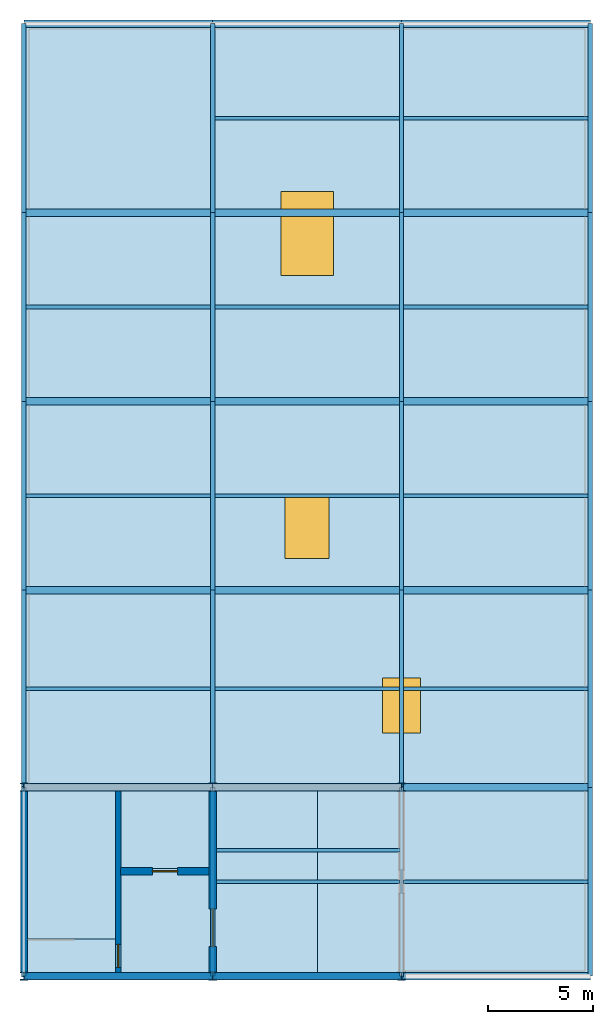
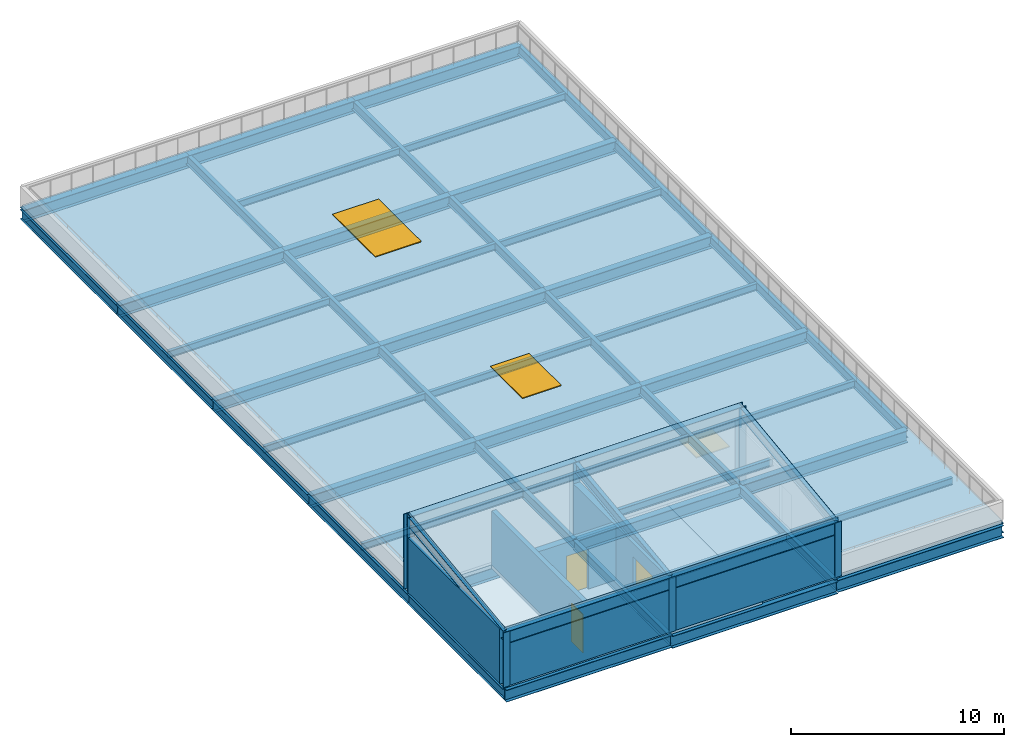
# One storey, part 1 of 3: 59 beams, 6 columns, 6 walls, 5 slabs, 3 doors, 3 windows, 6 openings.
"""IFC4 building model written with IfcOpenShell, lengths in metres."""

from ifc_helpers import new_model, si_unit, direction, frame, frame_2d, origin, origin_2d, place, context, subcontext, project, spatial, polyline, rectangle, i_section, outline, extrude, material, layer, layer_set, material_profile, profile_set, type_object, element, fill, save


model = new_model("IFC4")

# Units and contexts
model_context = context("Model", 3, precision=1e-05, world=origin(), true_north=direction((0.0, 1.0)))
body_context = subcontext(model_context, "Body", "Model", "MODEL_VIEW")
ifc_project = project(units=[si_unit("LENGTHUNIT", "METRE"), si_unit("AREAUNIT", "SQUARE_METRE"), si_unit("VOLUMEUNIT", "CUBIC_METRE"), si_unit("PLANEANGLEUNIT", "RADIAN"), si_unit("MASSUNIT", "GRAM", prefix="KILO")], contexts=[model_context])

# Site, building, storey
site_placement = place(None, origin())
site = spatial("IfcSite", under=ifc_project, at=site_placement, CompositionType="ELEMENT")
building_placement = place(site_placement, origin())
building = spatial("IfcBuilding", under=site, at=building_placement, Name="Cazmaro Siding Exhibition Halls", CompositionType="ELEMENT")
storey_placement = place(building_placement, frame((0.0, 0.0, 25.5)))
storey = spatial("IfcBuildingStorey", under=building, at=storey_placement, Name="RF", CompositionType="ELEMENT", Elevation=25.5)

# Columns
ifc_material_1 = material(Name="Steel ASTM A992 Grade 50", Category="steel")
ifc_material_profile_1 = material_profile(ifc_material_1, i_section(OverallWidth=0.373046875, OverallDepth=0.373046875, WebThickness=0.01611328125, FlangeThickness=0.02587890625, at=origin_2d()), Name="W14X132")
ifc_profile_set_1 = profile_set([ifc_material_profile_1], Name="Steel ASTM A992 Grade 50")
column_type = type_object("IfcColumnType", Name="C-04", PredefinedType="COLUMN", material=ifc_profile_set_1)
column_1_placement = place(storey_placement, frame((0.0, 54.60009765625, 0.0), z_axis=(0.0, 0.0, 1.0), x_axis=(1.0, 0.0, 0.0)))
element("IfcColumn", 1, at=column_1_placement, inside=storey, type_object=column_type, Name="Column C-04 COL-1075", PredefinedType="COLUMN", context=body_context, shape_type="SweptSolid", body=[
    extrude(i_section(OverallWidth=0.373046875, OverallDepth=0.373046875, WebThickness=0.01611328125, FlangeThickness=0.02587890625, at=origin_2d()), origin(), (0.0, 0.0, 1.0), 3.139892578125),
])
column_2_placement = place(storey_placement, frame((0.0, 63.60009765625, 0.0), z_axis=(0.0, 0.0, 1.0), x_axis=(1.0, 0.0, 0.0)))
element("IfcColumn", 2, at=column_2_placement, inside=storey, type_object=column_type, Name="Column C-04 COL-1076", PredefinedType="COLUMN", context=body_context, shape_type="SweptSolid", body=[
    extrude(i_section(OverallWidth=0.373046875, OverallDepth=0.373046875, WebThickness=0.01611328125, FlangeThickness=0.02587890625, at=origin_2d()), origin(), (0.0, 0.0, 1.0), 4.2900390625),
])
column_3_placement = place(storey_placement, frame((9.0, 54.60009765625, 0.0), z_axis=(0.0, 0.0, 1.0), x_axis=(1.0, 0.0, 0.0)))
element("IfcColumn", 3, at=column_3_placement, inside=storey, type_object=column_type, Name="Column C-04 COL-1077", PredefinedType="COLUMN", context=body_context, shape_type="SweptSolid", body=[
    extrude(i_section(OverallWidth=0.373046875, OverallDepth=0.373046875, WebThickness=0.01611328125, FlangeThickness=0.02587890625, at=origin_2d()), origin(), (0.0, 0.0, 1.0), 3.139892578125),
])
column_4_placement = place(storey_placement, frame((9.0, 63.60009765625, 0.0), z_axis=(0.0, 0.0, 1.0), x_axis=(1.0, 0.0, 0.0)))
element("IfcColumn", 4, at=column_4_placement, inside=storey, type_object=column_type, Name="Column C-04 COL-1078", PredefinedType="COLUMN", context=body_context, shape_type="SweptSolid", body=[
    extrude(i_section(OverallWidth=0.373046875, OverallDepth=0.373046875, WebThickness=0.01611328125, FlangeThickness=0.02587890625, at=origin_2d()), origin(), (0.0, 0.0, 1.0), 4.2900390625),
])
column_5_placement = place(storey_placement, frame((18.0, 54.60009765625, 0.0), z_axis=(0.0, 0.0, 1.0), x_axis=(1.0, 0.0, 0.0)))
element("IfcColumn", 5, at=column_5_placement, inside=storey, type_object=column_type, Name="Column C-04 COL-1079", PredefinedType="COLUMN", context=body_context, shape_type="SweptSolid", body=[
    extrude(i_section(OverallWidth=0.373046875, OverallDepth=0.373046875, WebThickness=0.01611328125, FlangeThickness=0.02587890625, at=origin_2d()), origin(), (0.0, 0.0, 1.0), 3.139892578125),
])
column_6_placement = place(storey_placement, frame((18.0, 63.60009765625, 0.0), z_axis=(0.0, 0.0, 1.0), x_axis=(1.0, 0.0, 0.0)))
element("IfcColumn", 6, at=column_6_placement, inside=storey, type_object=column_type, Name="Column C-04 COL-1080", PredefinedType="COLUMN", context=body_context, shape_type="SweptSolid", body=[
    extrude(i_section(OverallWidth=0.373046875, OverallDepth=0.373046875, WebThickness=0.01611328125, FlangeThickness=0.02587890625, at=origin_2d()), origin(), (0.0, 0.0, 1.0), 4.2900390625),
])

# Beams
ifc_material_2 = material(Name="Steel ASTM A992 Grade 50", Category="steel")
ifc_material_profile_2 = material_profile(ifc_material_2, i_section(OverallWidth=0.214111328125, OverallDepth=0.549072265625, WebThickness=0.014892578125, FlangeThickness=0.02392578125, at=origin_2d()), Name="W21X93")
ifc_profile_set_2 = profile_set([ifc_material_profile_2], Name="Steel ASTM A992 Grade 50")
beam_type_1 = type_object("IfcBeamType", Name="B-01", PredefinedType="BEAM", material=ifc_profile_set_2)
for number, where, z_axis, x_axis, name in (
    (7, (0.0, 54.60009765625, 2.865966796875), (0.0, 0.991949923434, 0.126630760082), (-1.0, 0.0, 0.0), "Beam B-01 BM-1923"),
    (8, (9.0, 54.60009765625, 2.865966796875), (0.0, 0.991949923434, 0.126630760082), (-1.0, 0.0, 0.0), "Beam B-01 BM-1924"),
    (9, (18.0, 54.60009765625, 2.865966796875), (0.0, 0.991949923434, 0.126630760082), (-1.0, 0.0, 0.0), "Beam B-01 BM-1925"),
):
    element("IfcBeam", number, at=place(storey_placement, frame(where, z_axis=z_axis, x_axis=x_axis)), inside=storey, type_object=beam_type_1, Name=name, PredefinedType="BEAM", context=body_context, shape_type="SweptSolid", body=[
        extrude(i_section(OverallWidth=0.214111328125, OverallDepth=0.549072265625, WebThickness=0.014892578125, FlangeThickness=0.02392578125, at=origin_2d()), origin(), (0.0, 0.0, 1.0), 9.072998046875),
    ])
beam_1_placement = place(storey_placement, frame((0.0, 54.60009765625, -0.485107421875), z_axis=(0.0, 1.0, 0.0), x_axis=(-1.0, 0.0, 0.0)))
element("IfcBeam", 10, at=beam_1_placement, inside=storey, type_object=beam_type_1, Name="Beam B-01 BM-2389", PredefinedType="BEAM", context=body_context, shape_type="SweptSolid", body=[
    extrude(i_section(OverallWidth=0.214111328125, OverallDepth=0.549072265625, WebThickness=0.014892578125, FlangeThickness=0.02392578125, at=origin_2d()), origin(), (0.0, 0.0, 1.0), 9.0),
])
beam_2_placement = place(storey_placement, frame((0.0, 63.60009765625, -0.485107421875), z_axis=(0.0, 1.0, 0.0), x_axis=(-1.0, 0.0, 0.0)))
element("IfcBeam", 11, at=beam_2_placement, inside=storey, type_object=beam_type_1, Name="Beam B-01 BM-2390", PredefinedType="BEAM", context=body_context, shape_type="SweptSolid", body=[
    extrude(i_section(OverallWidth=0.214111328125, OverallDepth=0.549072265625, WebThickness=0.014892578125, FlangeThickness=0.02392578125, at=origin_2d()), origin(), (0.0, 0.0, 1.0), 9.39990234375),
])
for number, where, z_axis, x_axis, name in (
    (12, (0.0, 73.0, -0.485107421875), (0.0, 1.0, 0.0), (-1.0, 0.0, 0.0), "Beam B-01 BM-2391"),
    (13, (0.0, 82.0, -0.485107421875), (0.0, 1.0, 0.0), (-1.0, 0.0, 0.0), "Beam B-01 BM-2392"),
    (14, (0.0, 91.0, -0.485107421875), (0.0, 1.0, 0.0), (-1.0, 0.0, 0.0), "Beam B-01 BM-2393"),
    (15, (9.0, 54.60009765625, -0.5439453125), (0.0, 1.0, 0.0), (-1.0, 0.0, 0.0), "Beam B-01 BM-2394"),
):
    element("IfcBeam", number, at=place(storey_placement, frame(where, z_axis=z_axis, x_axis=x_axis)), inside=storey, type_object=beam_type_1, Name=name, PredefinedType="BEAM", context=body_context, shape_type="SweptSolid", body=[
        extrude(i_section(OverallWidth=0.214111328125, OverallDepth=0.549072265625, WebThickness=0.014892578125, FlangeThickness=0.02392578125, at=origin_2d()), origin(), (0.0, 0.0, 1.0), 9.0),
    ])
beam_3_placement = place(storey_placement, frame((9.0, 63.60009765625, -0.485107421875), z_axis=(0.0, 1.0, 0.0), x_axis=(-1.0, 0.0, 0.0)))
element("IfcBeam", 16, at=beam_3_placement, inside=storey, type_object=beam_type_1, Name="Beam B-01 BM-2395", PredefinedType="BEAM", context=body_context, shape_type="SweptSolid", body=[
    extrude(i_section(OverallWidth=0.214111328125, OverallDepth=0.549072265625, WebThickness=0.014892578125, FlangeThickness=0.02392578125, at=origin_2d()), origin(), (0.0, 0.0, 1.0), 9.39990234375),
])
for number, where, z_axis, x_axis, name in (
    (17, (9.0, 73.0, -0.485107421875), (0.0, 1.0, 0.0), (-1.0, 0.0, 0.0), "Beam B-01 BM-2396"),
    (18, (9.0, 82.0, -0.485107421875), (0.0, 1.0, 0.0), (-1.0, 0.0, 0.0), "Beam B-01 BM-2397"),
    (19, (9.0, 91.0, -0.485107421875), (0.0, 1.0, 0.0), (-1.0, 0.0, 0.0), "Beam B-01 BM-2398"),
    (20, (18.0, 54.60009765625, -0.5439453125), (0.0, 1.0, 0.0), (-1.0, 0.0, 0.0), "Beam B-01 BM-2399"),
):
    element("IfcBeam", number, at=place(storey_placement, frame(where, z_axis=z_axis, x_axis=x_axis)), inside=storey, type_object=beam_type_1, Name=name, PredefinedType="BEAM", context=body_context, shape_type="SweptSolid", body=[
        extrude(i_section(OverallWidth=0.214111328125, OverallDepth=0.549072265625, WebThickness=0.014892578125, FlangeThickness=0.02392578125, at=origin_2d()), origin(), (0.0, 0.0, 1.0), 9.0),
    ])
beam_4_placement = place(storey_placement, frame((18.0, 63.60009765625, -0.485107421875), z_axis=(0.0, 1.0, 0.0), x_axis=(-1.0, 0.0, 0.0)))
element("IfcBeam", 21, at=beam_4_placement, inside=storey, type_object=beam_type_1, Name="Beam B-01 BM-2400", PredefinedType="BEAM", context=body_context, shape_type="SweptSolid", body=[
    extrude(i_section(OverallWidth=0.214111328125, OverallDepth=0.549072265625, WebThickness=0.014892578125, FlangeThickness=0.02392578125, at=origin_2d()), origin(), (0.0, 0.0, 1.0), 9.39990234375),
])
for number, where, z_axis, x_axis, name in (
    (22, (18.0, 73.0, -0.485107421875), (0.0, 1.0, 0.0), (-1.0, 0.0, 0.0), "Beam B-01 BM-2401"),
    (23, (18.0, 82.0, -0.485107421875), (0.0, 1.0, 0.0), (-1.0, 0.0, 0.0), "Beam B-01 BM-2402"),
    (24, (18.0, 91.0, -0.485107421875), (0.0, 1.0, 0.0), (-1.0, 0.0, 0.0), "Beam B-01 BM-2403"),
    (25, (27.0, 54.60009765625, -0.485107421875), (0.0, 1.0, 0.0), (-1.0, 0.0, 0.0), "Beam B-01 BM-2404"),
):
    element("IfcBeam", number, at=place(storey_placement, frame(where, z_axis=z_axis, x_axis=x_axis)), inside=storey, type_object=beam_type_1, Name=name, PredefinedType="BEAM", context=body_context, shape_type="SweptSolid", body=[
        extrude(i_section(OverallWidth=0.214111328125, OverallDepth=0.549072265625, WebThickness=0.014892578125, FlangeThickness=0.02392578125, at=origin_2d()), origin(), (0.0, 0.0, 1.0), 9.0),
    ])
beam_5_placement = place(storey_placement, frame((27.0, 63.60009765625, -0.485107421875), z_axis=(0.0, 1.0, 0.0), x_axis=(-1.0, 0.0, 0.0)))
element("IfcBeam", 26, at=beam_5_placement, inside=storey, type_object=beam_type_1, Name="Beam B-01 BM-2405", PredefinedType="BEAM", context=body_context, shape_type="SweptSolid", body=[
    extrude(i_section(OverallWidth=0.214111328125, OverallDepth=0.549072265625, WebThickness=0.014892578125, FlangeThickness=0.02392578125, at=origin_2d()), origin(), (0.0, 0.0, 1.0), 9.39990234375),
])
for number, where, z_axis, x_axis, name in (
    (27, (27.0, 73.0, -0.485107421875), (0.0, 1.0, 0.0), (-1.0, 0.0, 0.0), "Beam B-01 BM-2406"),
    (28, (27.0, 82.0, -0.485107421875), (0.0, 1.0, 0.0), (-1.0, 0.0, 0.0), "Beam B-01 BM-2407"),
    (29, (27.0, 91.0, -0.485107421875), (0.0, 1.0, 0.0), (-1.0, 0.0, 0.0), "Beam B-01 BM-2408"),
):
    element("IfcBeam", number, at=place(storey_placement, frame(where, z_axis=z_axis, x_axis=x_axis)), inside=storey, type_object=beam_type_1, Name=name, PredefinedType="BEAM", context=body_context, shape_type="SweptSolid", body=[
        extrude(i_section(OverallWidth=0.214111328125, OverallDepth=0.549072265625, WebThickness=0.014892578125, FlangeThickness=0.02392578125, at=origin_2d()), origin(), (0.0, 0.0, 1.0), 9.0),
    ])
ifc_material_3 = material(Name="Steel ASTM A992 Grade 50", Category="steel")
ifc_material_profile_3 = material_profile(ifc_material_3, i_section(OverallWidth=0.35595703125, OverallDepth=0.696044921875, WebThickness=0.014892578125, FlangeThickness=0.02490234375, at=origin_2d()), Name="W27X146")
ifc_profile_set_3 = profile_set([ifc_material_profile_3], Name="Steel ASTM A992 Grade 50")
beam_type_2 = type_object("IfcBeamType", Name="G-05", PredefinedType="USERDEFINED", material=ifc_profile_set_3)
for number, where, z_axis, x_axis, name in (
    (30, (0.0, 54.60009765625, 2.7919921875), (1.0, 0.0, 0.0), (0.0, 1.0, 0.0), "Beam G-05 BM-1919"),
    (31, (0.0, 63.60009765625, 3.94189453125), (1.0, 0.0, 0.0), (0.0, 1.0, 0.0), "Beam G-05 BM-1920"),
    (32, (9.0, 54.60009765625, 2.7919921875), (1.0, 0.0, 0.0), (0.0, 1.0, 0.0), "Beam G-05 BM-1921"),
    (33, (9.0, 63.60009765625, 3.94189453125), (1.0, 0.0, 0.0), (0.0, 1.0, 0.0), "Beam G-05 BM-1922"),
    (34, (0.0, 54.60009765625, -0.55810546875), (1.0, 0.0, 0.0), (0.0, 1.0, 0.0), "Beam G-05 BM-2358"),
    (35, (0.0, 63.60009765625, -0.55810546875), (1.0, 0.0, 0.0), (0.0, 1.0, 0.0), "Beam G-05 BM-2359"),
    (36, (0.0, 73.0, -0.55810546875), (1.0, 0.0, 0.0), (0.0, 1.0, 0.0), "Beam G-05 BM-2360"),
    (37, (0.0, 82.0, -0.55810546875), (1.0, 0.0, 0.0), (0.0, 1.0, 0.0), "Beam G-05 BM-2361"),
    (38, (0.0, 91.0, -0.55810546875), (1.0, 0.0, 0.0), (0.0, 1.0, 0.0), "Beam G-05 BM-2362"),
    (39, (0.0, 100.0, -0.55810546875), (1.0, 0.0, 0.0), (0.0, 1.0, 0.0), "Beam G-05 BM-2363"),
    (40, (9.0, 54.60009765625, -0.617919921875), (1.0, 0.0, 0.0), (0.0, 1.0, 0.0), "Beam G-05 BM-2367"),
    (41, (9.0, 63.60009765625, -0.617919921875), (1.0, 0.0, 0.0), (0.0, 1.0, 0.0), "Beam G-05 BM-2368"),
    (42, (9.0, 73.0, -0.55810546875), (1.0, 0.0, 0.0), (0.0, 1.0, 0.0), "Beam G-05 BM-2369"),
    (43, (9.0, 82.0, -0.55810546875), (1.0, 0.0, 0.0), (0.0, 1.0, 0.0), "Beam G-05 BM-2370"),
    (44, (9.0, 91.0, -0.55810546875), (1.0, 0.0, 0.0), (0.0, 1.0, 0.0), "Beam G-05 BM-2371"),
    (45, (9.0, 100.0, -0.55810546875), (1.0, 0.0, 0.0), (0.0, 1.0, 0.0), "Beam G-05 BM-2372"),
    (46, (18.0, 54.60009765625, -0.55810546875), (1.0, 0.0, 0.0), (0.0, 1.0, 0.0), "Beam G-05 BM-2378"),
    (47, (18.0, 63.60009765625, -0.55810546875), (1.0, 0.0, 0.0), (0.0, 1.0, 0.0), "Beam G-05 BM-2379"),
    (48, (18.0, 73.0, -0.55810546875), (1.0, 0.0, 0.0), (0.0, 1.0, 0.0), "Beam G-05 BM-2380"),
    (49, (18.0, 82.0, -0.55810546875), (1.0, 0.0, 0.0), (0.0, 1.0, 0.0), "Beam G-05 BM-2381"),
    (50, (18.0, 91.0, -0.55810546875), (1.0, 0.0, 0.0), (0.0, 1.0, 0.0), "Beam G-05 BM-2382"),
    (51, (18.0, 100.0, -0.55810546875), (1.0, 0.0, 0.0), (0.0, 1.0, 0.0), "Beam G-05 BM-2383"),
):
    element("IfcBeam", number, at=place(storey_placement, frame(where, z_axis=z_axis, x_axis=x_axis)), inside=storey, type_object=beam_type_2, Name=name, ObjectType="GIRDER", PredefinedType="USERDEFINED", context=body_context, shape_type="SweptSolid", body=[
        extrude(i_section(OverallWidth=0.35595703125, OverallDepth=0.696044921875, WebThickness=0.014892578125, FlangeThickness=0.02490234375, at=origin_2d()), origin(), (0.0, 0.0, 1.0), 9.0),
    ])
ifc_material_4 = material(Name="Steel ASTM A992 Grade 50", Category="steel")
ifc_material_profile_4 = material_profile(ifc_material_4, i_section(OverallWidth=0.177978515625, OverallDepth=0.406005859375, WebThickness=0.008056640625, FlangeThickness=0.012939453125, at=origin_2d()), Name="W16X40")
ifc_profile_set_4 = profile_set([ifc_material_profile_4], Name="Steel ASTM A992 Grade 50")
beam_type_3 = type_object("IfcBeamType", Name="J-02", PredefinedType="JOIST", material=ifc_profile_set_4)
beam_6_placement = place(storey_placement, frame((9.0, 60.60009765625, 2.886962890625), z_axis=(1.0, 0.0, 0.0), x_axis=(0.0, 1.0, 0.0)))
element("IfcBeam", 52, at=beam_6_placement, inside=storey, type_object=beam_type_3, Name="Beam J-02 BM-1926", PredefinedType="JOIST", context=body_context, shape_type="SweptSolid", body=[
    extrude(i_section(OverallWidth=0.177978515625, OverallDepth=0.406005859375, WebThickness=0.008056640625, FlangeThickness=0.012939453125, at=origin_2d()), origin(), (0.0, 0.0, 1.0), 9.0),
])
for number, where, z_axis, x_axis, name in (
    (53, (0.10693359375, 68.300048828125, -0.4130859375), (1.0, 0.0, 0.0), (0.0, 1.0, 0.0), "Beam J-02 BM-2364"),
    (54, (0.10693359375, 77.5, -0.4130859375), (1.0, 0.0, 0.0), (0.0, 1.0, 0.0), "Beam J-02 BM-2365"),
    (55, (0.10693359375, 86.5, -0.4130859375), (1.0, 0.0, 0.0), (0.0, 1.0, 0.0), "Beam J-02 BM-2366"),
    (56, (9.10693359375, 59.10009765625, -0.472900390625), (1.0, 0.0, 0.0), (0.0, 1.0, 0.0), "Beam J-02 BM-2373"),
    (57, (9.10693359375, 68.300048828125, -0.4130859375), (1.0, 0.0, 0.0), (0.0, 1.0, 0.0), "Beam J-02 BM-2374"),
    (58, (9.10693359375, 77.5, -0.4130859375), (1.0, 0.0, 0.0), (0.0, 1.0, 0.0), "Beam J-02 BM-2375"),
    (59, (9.10693359375, 86.5, -0.4130859375), (1.0, 0.0, 0.0), (0.0, 1.0, 0.0), "Beam J-02 BM-2376"),
    (60, (9.10693359375, 95.5, -0.4130859375), (1.0, 0.0, 0.0), (0.0, 1.0, 0.0), "Beam J-02 BM-2377"),
    (61, (18.10693359375, 59.10009765625, -0.4130859375), (1.0, 0.0, 0.0), (0.0, 1.0, 0.0), "Beam J-02 BM-2384"),
    (62, (18.10693359375, 68.300048828125, -0.4130859375), (1.0, 0.0, 0.0), (0.0, 1.0, 0.0), "Beam J-02 BM-2385"),
    (63, (18.10693359375, 77.5, -0.4130859375), (1.0, 0.0, 0.0), (0.0, 1.0, 0.0), "Beam J-02 BM-2386"),
    (64, (18.10693359375, 86.5, -0.4130859375), (1.0, 0.0, 0.0), (0.0, 1.0, 0.0), "Beam J-02 BM-2387"),
    (65, (18.10693359375, 95.5, -0.4130859375), (1.0, 0.0, 0.0), (0.0, 1.0, 0.0), "Beam J-02 BM-2388"),
):
    element("IfcBeam", number, at=place(storey_placement, frame(where, z_axis=z_axis, x_axis=x_axis)), inside=storey, type_object=beam_type_3, Name=name, PredefinedType="JOIST", context=body_context, shape_type="SweptSolid", body=[
        extrude(i_section(OverallWidth=0.177978515625, OverallDepth=0.406005859375, WebThickness=0.008056640625, FlangeThickness=0.012939453125, at=origin_2d()), origin(), (0.0, 0.0, 1.0), 8.7861328125),
    ])

# Slabs
ifc_material_5 = material(Name="Concrete f'c 35 MPa", Category="concrete")
ifc_layer_1 = layer(ifc_material_5, 0.159912109375)
ifc_layer_set_1 = layer_set([ifc_layer_1], Name="Concrete f'c 35 MPa")
slab_type_1 = type_object("IfcSlabType", Name="RS-01", PredefinedType="ROOF", material=ifc_layer_set_1)
slab_1_placement = place(storey_placement, frame((0.0, 54.60009765625, 3.300048828125), z_axis=(0.0, -0.126736665432, 0.991936397979), x_axis=(1.0, 0.0, 0.0)))
element("IfcSlab", 66, at=slab_1_placement, inside=storey, type_object=slab_type_1, Name="Rooftop Core C7 and Penthouse Sloped Roof Slab RS-01 SLB-0087", PredefinedType="ROOF", context=body_context, shape_type="SweptSolid", body=[
    extrude(outline(polyline([(0.0, 0.0), (18.0, 0.0), (18.0, 9.073162370428612), (0.0, 9.073162370428612), (0.0, 0.0)])), origin(), (0.0, 0.0, -1.0), 0.159912109375),
])
ifc_material_6 = material(Name="Concrete f'c 35 MPa", Category="concrete")
ifc_layer_2 = layer(ifc_material_6, 0.2099609375)
ifc_layer_set_2 = layer_set([ifc_layer_2], Name="Concrete f'c 35 MPa")
slab_type_2 = type_object("IfcSlabType", Name="RS-03", PredefinedType="ROOF", material=ifc_layer_set_2)
slab_2_placement = place(storey_placement, frame((0.0, 0.0, -0.2099609375)))
element("IfcSlab", 67, at=slab_2_placement, inside=storey, type_object=slab_type_2, Name="Rooftop Service Penthouse Equipment Deck RS-03 SLB-0068", PredefinedType="ROOF", context=body_context, shape_type="SweptSolid", body=[
    extrude(outline(polyline([(14.0, 54.60009765625), (18.0, 54.60009765625), (18.0, 63.60009765625), (14.0, 63.60009765625), (14.0, 54.60009765625)])), origin(), (0.0, 0.0, 1.0), 0.2099609375),
])
slab_3_placement = place(storey_placement, frame((0.0, 0.0, -0.2099609375)))
element("IfcSlab", 68, at=slab_3_placement, inside=storey, type_object=slab_type_2, Name="Core C7 Rooftop Lobby Slab RS-03 SLB-0069", PredefinedType="ROOF", context=body_context, shape_type="SweptSolid", body=[
    extrude(outline(polyline([(0.0, 54.60009765625), (9.0, 54.60009765625), (9.0, 63.60009765625), (0.0, 63.60009765625), (0.0, 54.60009765625)]), holes=[polyline([(0.179931640625, 56.3798828125), (4.375, 56.3798828125), (4.375, 63.419921875), (0.179931640625, 63.419921875), (0.179931640625, 56.3798828125)]), polyline([(4.625, 59.719970703125), (8.820068359375, 59.719970703125), (8.820068359375, 63.419921875), (4.625, 63.419921875), (4.625, 59.719970703125)])]), origin(), (0.0, 0.0, 1.0), 0.2099609375),
])

# Slab, openings, windows
slab_4_placement = place(storey_placement, frame((0.0, 0.0, -0.2099609375)))
slab_4 = element("IfcSlab", 69, at=slab_4_placement, inside=storey, type_object=slab_type_2, Name="West Wing Main Clerestory Roof RS-03 SLB-0070", PredefinedType="ROOF", context=body_context, shape_type="SweptSolid", body=[
    extrude(outline(polyline([(18.0, 54.60009765625), (27.0, 54.60009765625), (27.0, 100.0), (0.0, 100.0), (0.0, 63.60009765625), (18.0, 63.60009765625), (18.0, 54.60009765625)]), holes=[polyline([(17.10205078125, 66.201904296875), (18.89794921875, 66.201904296875), (18.89794921875, 68.798095703125), (17.10205078125, 68.798095703125), (17.10205078125, 66.201904296875)]), polyline([(12.451904296875, 74.501953125), (14.548095703125, 74.501953125), (14.548095703125, 77.498046875), (12.451904296875, 77.498046875), (12.451904296875, 74.501953125)]), polyline([(12.251953125, 88.001953125), (14.748046875, 88.001953125), (14.748046875, 91.998046875), (12.251953125, 91.998046875), (12.251953125, 88.001953125)])]), origin(), (0.0, 0.0, 1.0), 0.2099609375),
])
opening_1_placement = place(slab_4_placement, frame((18.0, 67.5, -0.010009765625)))
opening_1 = element("IfcOpeningElement", 70, at=opening_1_placement, cuts=slab_4, Name="Opening SK-08", PredefinedType="OPENING", context=body_context, shape_type="SweptSolid", body=[
    extrude(rectangle(XDim=1.800048828125, YDim=2.60009765625, at=origin_2d()), origin(), (0.0, 0.0, 1.0), 0.27001953125),
])
opening_2_placement = place(slab_4_placement, frame((13.5, 76.0, -0.010009765625)))
opening_2 = element("IfcOpeningElement", 71, at=opening_2_placement, cuts=slab_4, Name="Opening SK-09", PredefinedType="OPENING", context=body_context, shape_type="SweptSolid", body=[
    extrude(rectangle(XDim=2.10009765625, YDim=3.0, at=origin_2d()), origin(), (0.0, 0.0, 1.0), 0.27001953125),
])
opening_3_placement = place(slab_4_placement, frame((13.5, 90.0, -0.010009765625)))
opening_3 = element("IfcOpeningElement", 72, at=opening_3_placement, cuts=slab_4, Name="Opening SK-10", PredefinedType="OPENING", context=body_context, shape_type="SweptSolid", body=[
    extrude(rectangle(XDim=2.5, YDim=4.0, at=origin_2d()), origin(), (0.0, 0.0, 1.0), 0.27001953125),
])
ifc_material_7 = material(Name="Laminated Solar-Control Roof Skylight Glazing", Category="glass")
ifc_layer_3 = layer(ifc_material_7, 0.080078125)
ifc_layer_set_3 = layer_set([ifc_layer_3], Name="Laminated Solar-Control Roof Skylight Glazing")
window_type_1 = type_object("IfcWindowType", Name="SKT-07", PartitioningType="SINGLE_PANEL", PredefinedType="SKYLIGHT", material=ifc_layer_set_3)
window_1_placement = place(opening_1_placement, frame((0.0, 0.0, 0.179931640625)))
window_1 = element("IfcWindow", 73, at=window_1_placement, inside=storey, type_object=window_type_1, Name="Roof skylight SK-08 (SKT-07)", OverallHeight=2.60009765625, OverallWidth=1.800048828125, PartitioningType="SINGLE_PANEL", PredefinedType="SKYLIGHT", context=body_context, shape_type="SweptSolid", body=[
    extrude(rectangle(XDim=1.800048828125, YDim=2.60009765625, at=origin_2d()), origin(), (0.0, 0.0, 1.0), 0.080078125),
])
fill(opening_1, window_1)
ifc_material_8 = material(Name="Laminated Solar-Control Roof Skylight Glazing", Category="glass")
ifc_layer_4 = layer(ifc_material_8, 0.080078125)
ifc_layer_set_4 = layer_set([ifc_layer_4], Name="Laminated Solar-Control Roof Skylight Glazing")
window_type_2 = type_object("IfcWindowType", Name="SKT-08", PartitioningType="SINGLE_PANEL", PredefinedType="SKYLIGHT", material=ifc_layer_set_4)
window_2_placement = place(opening_2_placement, frame((0.0, 0.0, 0.179931640625)))
window_2 = element("IfcWindow", 74, at=window_2_placement, inside=storey, type_object=window_type_2, Name="Roof skylight SK-09 (SKT-08)", OverallHeight=3.0, OverallWidth=2.10009765625, PartitioningType="SINGLE_PANEL", PredefinedType="SKYLIGHT", context=body_context, shape_type="SweptSolid", body=[
    extrude(rectangle(XDim=2.10009765625, YDim=3.0, at=origin_2d()), origin(), (0.0, 0.0, 1.0), 0.080078125),
])
fill(opening_2, window_2)
ifc_material_9 = material(Name="Laminated Solar-Control Roof Skylight Glazing", Category="glass")
ifc_layer_5 = layer(ifc_material_9, 0.080078125)
ifc_layer_set_5 = layer_set([ifc_layer_5], Name="Laminated Solar-Control Roof Skylight Glazing")
window_type_3 = type_object("IfcWindowType", Name="SKT-09", PartitioningType="SINGLE_PANEL", PredefinedType="SKYLIGHT", material=ifc_layer_set_5)
window_3_placement = place(opening_3_placement, frame((0.0, 0.0, 0.179931640625)))
window_3 = element("IfcWindow", 75, at=window_3_placement, inside=storey, type_object=window_type_3, Name="Roof skylight SK-10 (SKT-09)", OverallHeight=4.0, OverallWidth=2.5, PartitioningType="SINGLE_PANEL", PredefinedType="SKYLIGHT", context=body_context, shape_type="SweptSolid", body=[
    extrude(rectangle(XDim=2.5, YDim=4.0, at=origin_2d()), origin(), (0.0, 0.0, 1.0), 0.080078125),
])
fill(opening_3, window_3)

# Slab
ifc_material_10 = material(Name="Concrete f'c 35 MPa", Category="concrete")
ifc_layer_6 = layer(ifc_material_10, 0.27001953125)
ifc_layer_set_6 = layer_set([ifc_layer_6], Name="Concrete f'c 35 MPa")
slab_type_3 = type_object("IfcSlabType", Name="TS-01", PredefinedType="FLOOR", material=ifc_layer_set_6)
slab_5_placement = place(storey_placement, frame((0.0, 0.0, -0.27001953125)))
element("IfcSlab", 76, at=slab_5_placement, inside=storey, type_object=slab_type_3, Name="Rooftop Service Penthouse Landing Slab TS-01 SLB-0067", PredefinedType="FLOOR", context=body_context, shape_type="SweptSolid", body=[
    extrude(outline(polyline([(9.0, 54.60009765625), (14.0, 54.60009765625), (14.0, 63.60009765625), (9.0, 63.60009765625), (9.0, 54.60009765625)])), origin(), (0.0, 0.0, 1.0), 0.27001953125),
])

# Walls
ifc_material_11 = material(Name="Concrete f'c 45 MPa", Category="concrete")
ifc_layer_7 = layer(ifc_material_11, 0.320068359375)
ifc_layer_set_7 = layer_set([ifc_layer_7], Name="Concrete f'c 45 MPa")
wall_type_1 = type_object("IfcWallType", Name="EW-01", PredefinedType="STANDARD", material=ifc_layer_set_7)
for number, where, z_axis, x_axis, name in (
    (77, (8.985107421875, 54.60009765625, 0.0), (0.0, 0.0, 1.0), (-1.0, 0.0, 0.0), "Rooftop Penthouse South Wall EW-01 WL-E0318"),
    (78, (17.985107421875, 54.60009765625, 0.0), (0.0, 0.0, 1.0), (-1.0, 0.0, 0.0), "Rooftop Penthouse South Wall EW-01 WL-E0320"),
):
    element("IfcWall", number, at=place(storey_placement, frame(where, z_axis=z_axis, x_axis=x_axis)), inside=storey, type_object=wall_type_1, Name=name, PredefinedType="STANDARD", context=body_context, shape_type="SweptSolid", body=[
        extrude(rectangle(XDim=8.97021484375, YDim=0.320068359375, at=frame_2d((4.485107421875, 0.0))), origin(), (0.0, 0.0, 1.0), 3.139892578125),
    ])
wall_1_placement = place(storey_placement, frame((0.0, 54.780029296875, 0.0), z_axis=(0.0, 0.0, 1.0), x_axis=(0.0, 1.0, 0.0)))
element("IfcWall", 79, at=wall_1_placement, inside=storey, type_object=wall_type_1, Name="Rooftop Core C7 West Wall EW-01 WL-E0323", PredefinedType="STANDARD", context=body_context, shape_type="SweptSolid", body=[
    extrude(rectangle(XDim=8.639892578125, YDim=0.320068359375, at=frame_2d((4.31982421875, 0.0))), origin(), (0.0, 0.0, 1.0), 3.139892578125),
])

# Wall, opening, door
ifc_material_12 = material(Name="Concrete f'c 50 MPa", Category="concrete")
ifc_layer_8 = layer(ifc_material_12, 0.360107421875)
ifc_layer_set_8 = layer_set([ifc_layer_8], Name="Concrete f'c 50 MPa")
wall_type_2 = type_object("IfcWallType", Name="SW-01", PredefinedType="SHEAR", material=ifc_layer_set_8)
wall_2_placement = place(storey_placement, frame((9.0, 54.781005859375, 0.0), z_axis=(0.0, 0.0, 1.0), x_axis=(0.0, 1.0, 0.0)))
wall_2 = element("IfcWall", 80, at=wall_2_placement, inside=storey, type_object=wall_type_2, Name="Core C7 East Shear Wall RF SW-01 WL-I0096", PredefinedType="SHEAR", context=body_context, shape_type="SweptSolid", body=[
    extrude(rectangle(XDim=8.637939453125, YDim=0.360107421875, at=frame_2d((4.31884765625, 0.0))), origin(), (0.0, 0.0, 1.0), 3.090087890625),
])
opening_4_placement = place(wall_2_placement, frame((1.218994140625, 0.0, 0.0)))
opening_4 = element("IfcOpeningElement", 81, at=opening_4_placement, cuts=wall_2, Name="Opening D-I047", PredefinedType="OPENING", context=body_context, shape_type="SweptSolid", body=[
    extrude(rectangle(XDim=1.800048828125, YDim=2.300048828125, at=frame_2d((0.89990234375, 1.14990234375))), frame((0.0, 0.18994140625, 0.0), z_axis=(0.0, -1.0, 0.0), x_axis=(1.0, 0.0, 0.0)), (0.0, 0.0, 1.0), 0.380126953125),
])
ifc_material_13 = material(Name="Fire-Rated Painted Hollow Metal Door", Category="steel")
door_type_1 = type_object("IfcDoorType", Name="ID-02", OperationType="DOUBLE_DOOR_SINGLE_SWING", PredefinedType="DOOR", material=ifc_material_13)
door_1_placement = place(opening_4_placement, origin())
door_1 = element("IfcDoor", 82, at=door_1_placement, inside=storey, type_object=door_type_1, Name="Interior door D-I047 (ID-02)", OperationType="DOUBLE_DOOR_SINGLE_SWING", OverallHeight=2.300048828125, OverallWidth=1.800048828125, PredefinedType="DOOR", context=body_context, shape_type="SweptSolid", body=[
    extrude(rectangle(XDim=1.800048828125, YDim=2.300048828125, at=frame_2d((0.89990234375, 1.14990234375))), frame((0.0, 0.02490234375, 0.0), z_axis=(0.0, -1.0, 0.0), x_axis=(1.0, 0.0, 0.0)), (0.0, 0.0, 1.0), 0.050048828125),
])
fill(opening_4, door_1)

wall_3_placement = place(storey_placement, frame((4.614990234375, 59.60009765625, 0.0), z_axis=(0.0, 0.0, 1.0), x_axis=(1.0, 0.0, 0.0)))
wall_3 = element("IfcWall", 83, at=wall_3_placement, inside=storey, type_object=wall_type_2, Name="Core C7 Lift Shaft Wall RF SW-01 WL-I0098", PredefinedType="SHEAR", context=body_context, shape_type="SweptSolid", body=[
    extrude(rectangle(XDim=4.219970703125, YDim=0.360107421875, at=frame_2d((2.10986328125, 0.0))), origin(), (0.0, 0.0, 1.0), 3.090087890625),
])
opening_5_placement = place(wall_3_placement, frame((1.510009765625, 0.0, 0.0)))
opening_5 = element("IfcOpeningElement", 84, at=opening_5_placement, cuts=wall_3, Name="Opening LD-024", PredefinedType="OPENING", context=body_context, shape_type="SweptSolid", body=[
    extrude(rectangle(XDim=1.199951171875, YDim=2.300048828125, at=frame_2d((0.60009765625, 1.14990234375))), frame((0.0, 0.18994140625, 0.0), z_axis=(0.0, -1.0, 0.0), x_axis=(1.0, 0.0, 0.0)), (0.0, 0.0, 1.0), 0.380126953125),
])
ifc_material_14 = material(Name="Stainless Steel Elevator Landing Door", Category="steel")
door_type_2 = type_object("IfcDoorType", Name="LD-01", OperationType="SLIDING_TO_LEFT", PredefinedType="DOOR", material=ifc_material_14)
door_2_placement = place(opening_5_placement, origin())
door_2 = element("IfcDoor", 85, at=door_2_placement, inside=storey, type_object=door_type_2, Name="Interior door LD-024 (LD-01)", OperationType="SLIDING_TO_LEFT", OverallHeight=2.300048828125, OverallWidth=1.199951171875, PredefinedType="DOOR", context=body_context, shape_type="SweptSolid", body=[
    extrude(rectangle(XDim=1.199951171875, YDim=2.300048828125, at=frame_2d((0.60009765625, 1.14990234375))), frame((0.0, 0.02490234375, 0.0), z_axis=(0.0, -1.0, 0.0), x_axis=(1.0, 0.0, 0.0)), (0.0, 0.0, 1.0), 0.050048828125),
])
fill(opening_5, door_2)

ifc_material_15 = material(Name="Concrete f'c 50 MPa", Category="concrete")
ifc_layer_9 = layer(ifc_material_15, 0.25)
ifc_layer_set_9 = layer_set([ifc_layer_9], Name="Concrete f'c 50 MPa")
wall_type_3 = type_object("IfcWallType", Name="SW-02", PredefinedType="SHEAR", material=ifc_layer_set_9)
wall_4_placement = place(storey_placement, frame((4.5, 54.764892578125, 0.0), z_axis=(0.0, 0.0, 1.0), x_axis=(0.0, 1.0, 0.0)))
wall_4 = element("IfcWall", 86, at=wall_4_placement, inside=storey, type_object=wall_type_3, Name="Core C7 Shaft Divider RF SW-02 WL-I0097", PredefinedType="SHEAR", context=body_context, shape_type="SweptSolid", body=[
    extrude(rectangle(XDim=8.670166015625, YDim=0.25, at=frame_2d((4.3349609375, 0.0))), origin(), (0.0, 0.0, 1.0), 3.090087890625),
])
opening_6_placement = place(wall_4_placement, frame((0.25, 0.0, 0.0)))
opening_6 = element("IfcOpeningElement", 87, at=opening_6_placement, cuts=wall_4, Name="Opening D-I048", PredefinedType="OPENING", context=body_context, shape_type="SweptSolid", body=[
    extrude(rectangle(XDim=1.10009765625, YDim=2.199951171875, at=frame_2d((0.550048828125, 1.10009765625))), frame((0.0, 0.135009765625, 0.0), z_axis=(0.0, -1.0, 0.0), x_axis=(1.0, 0.0, 0.0)), (0.0, 0.0, 1.0), 0.27001953125),
])
ifc_material_16 = material(Name="Fire-Rated Painted Hollow Metal Door", Category="steel")
door_type_3 = type_object("IfcDoorType", Name="ID-01", OperationType="NOTDEFINED", PredefinedType="DOOR", material=ifc_material_16)
door_3_placement = place(opening_6_placement, origin())
door_3 = element("IfcDoor", 88, at=door_3_placement, inside=storey, type_object=door_type_3, Name="Interior door D-I048 (ID-01)", OperationType="SINGLE_SWING_RIGHT", OverallHeight=2.199951171875, OverallWidth=1.10009765625, PredefinedType="DOOR", context=body_context, shape_type="SweptSolid", body=[
    extrude(rectangle(XDim=1.10009765625, YDim=2.199951171875, at=frame_2d((0.550048828125, 1.10009765625))), frame((0.0, 0.02490234375, 0.0), z_axis=(0.0, -1.0, 0.0), x_axis=(1.0, 0.0, 0.0)), (0.0, 0.0, 1.0), 0.050048828125),
])
fill(opening_6, door_3)

save(model, "model.ifc")
